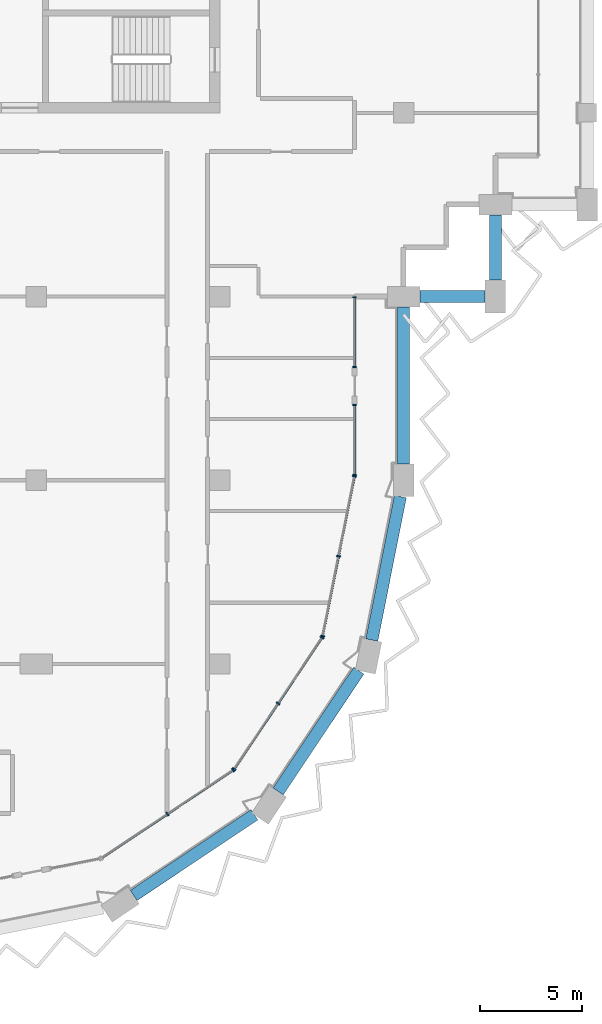
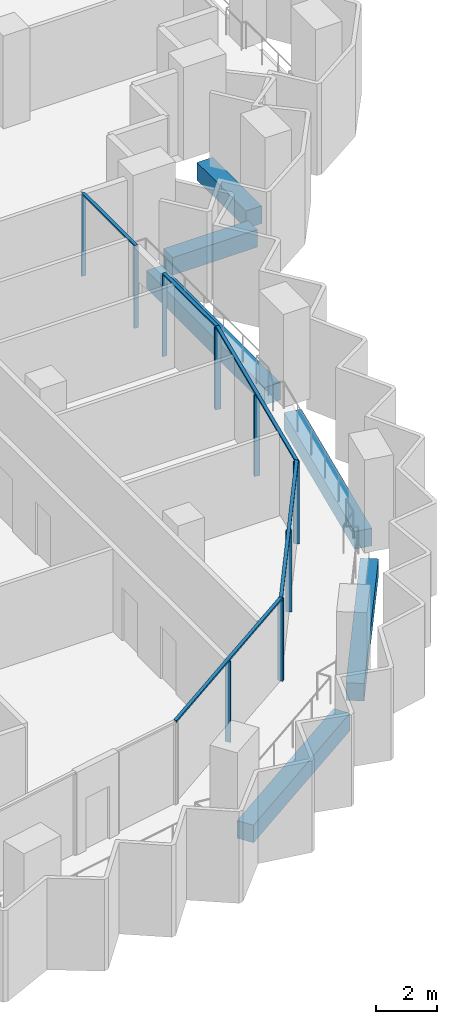
# One storey, part 3 of 16: 17 members, 6 beams, 5 elements without a shape of their own.
"""IFC4 building model written with IfcOpenShell, lengths in metres."""

from ifc_helpers import new_model, si_unit, direction, frame, origin, origin_2d, place, context, subcontext, project, spatial, rectangle, extrude, material, material_profile, profile_set, type_object, element, aggregate, save


model = new_model("IFC4")

# Units and contexts
model_context = context("Model", 3, precision=1e-05, world=origin(), true_north=direction((0.0, 1.0)))
body_context = subcontext(model_context, "Body", "Model", "MODEL_VIEW")
ifc_project = project(units=[si_unit("LENGTHUNIT", "METRE"), si_unit("AREAUNIT", "SQUARE_METRE"), si_unit("VOLUMEUNIT", "CUBIC_METRE"), si_unit("PLANEANGLEUNIT", "RADIAN"), si_unit("MASSUNIT", "GRAM", prefix="KILO")], contexts=[model_context])

# Site, building, storey
site_placement = place(None, origin())
site = spatial("IfcSite", under=ifc_project, at=site_placement, CompositionType="ELEMENT")
building_placement = place(site_placement, origin())
building = spatial("IfcBuilding", under=site, at=building_placement, Name="Hunhe Ridgeline Campus", CompositionType="ELEMENT")
storey_placement = place(building_placement, frame((0.0, 0.0, 261.39990234375)))
storey = spatial("IfcBuildingStorey", under=building, at=storey_placement, Name="L67", CompositionType="ELEMENT", Elevation=261.39990234375)

# Curtain wall, members
ifc_material_1 = material(Name="Aluminium 6063", Category="aluminium")
curtain_wall_type_1 = type_object("IfcCurtainWallType", Name="Curtain wall CW-1", PredefinedType="NOTDEFINED", material=ifc_material_1)
curtain_wall_1_placement = place(storey_placement, origin())
curtain_wall_1 = element("IfcCurtainWall", 1, at=curtain_wall_1_placement, inside=storey, type_object=curtain_wall_type_1, Name="Curtain wall 11", PredefinedType="NOTDEFINED")
ifc_material_profile_1 = material_profile(ifc_material_1, rectangle(XDim=0.159912109375, YDim=0.06005859375, at=origin_2d()))
ifc_profile_set_1 = profile_set([ifc_material_profile_1], Name="Aluminium 6063")
member_type_1 = type_object("IfcMemberType", Name="CW-1 aluminium mullion", PredefinedType="MULLION", material=ifc_profile_set_1)
member_1_placement = place(storey_placement, frame((42.59912109375, 45.266357421875, 0.0), z_axis=(0.0, 0.0, 1.0), x_axis=(-0.999999999815, 1.9241592e-05, 0.0)))
member_1 = element("IfcMember", 2, at=member_1_placement, type_object=member_type_1, Name="CW-1 mullion 1", PredefinedType="MULLION", context=body_context, shape_type="SweptSolid", body=[
    extrude(rectangle(XDim=0.159912109375, YDim=0.06005859375, at=origin_2d()), origin(), (0.0, 0.0, 1.0), 3.239990234375),
])
member_2_placement = place(storey_placement, frame((42.59912109375, 48.6884765625, 0.0), z_axis=(0.0, 0.0, 1.0), x_axis=(-0.999999999815, 1.9241592e-05, 0.0)))
member_2 = element("IfcMember", 3, at=member_2_placement, type_object=member_type_1, Name="CW-1 mullion 2", PredefinedType="MULLION", context=body_context, shape_type="SweptSolid", body=[
    extrude(rectangle(XDim=0.159912109375, YDim=0.06005859375, at=origin_2d()), origin(), (0.0, 0.0, 1.0), 3.239990234375),
])

curtain_wall_2_placement = place(storey_placement, origin())
curtain_wall_2 = element("IfcCurtainWall", 4, at=curtain_wall_2_placement, inside=storey, type_object=curtain_wall_type_1, Name="Curtain wall 12", PredefinedType="NOTDEFINED")
member_3_placement = place(storey_placement, frame((42.59912109375, 50.548583984375, 0.0), z_axis=(0.0, 0.0, 1.0), x_axis=(-0.999999999815, 1.9241592e-05, 0.0)))
member_3 = element("IfcMember", 5, at=member_3_placement, type_object=member_type_1, Name="CW-1 mullion 1", PredefinedType="MULLION", context=body_context, shape_type="SweptSolid", body=[
    extrude(rectangle(XDim=0.159912109375, YDim=0.06005859375, at=origin_2d()), origin(), (0.0, 0.0, 1.0), 3.239990234375),
])
member_4_placement = place(storey_placement, frame((42.59912109375, 53.970458984375, 0.0), z_axis=(0.0, 0.0, 1.0), x_axis=(-0.999999999815, 1.9241592e-05, 0.0)))
member_4 = element("IfcMember", 6, at=member_4_placement, type_object=member_type_1, Name="CW-1 mullion 2", PredefinedType="MULLION", context=body_context, shape_type="SweptSolid", body=[
    extrude(rectangle(XDim=0.159912109375, YDim=0.06005859375, at=origin_2d()), origin(), (0.0, 0.0, 1.0), 3.239990234375),
])

# Member
ifc_material_profile_2 = material_profile(ifc_material_1, rectangle(XDim=0.1201171875, YDim=0.06005859375, at=origin_2d()))
ifc_profile_set_2 = profile_set([ifc_material_profile_2], Name="Aluminium 6063")
member_type_2 = type_object("IfcMemberType", Name="CW-1 aluminium transom", PredefinedType="USERDEFINED", material=ifc_profile_set_2)
member_5_placement = place(storey_placement, frame((42.59912109375, 45.236572265625, 3.27001953125), z_axis=(0.0, 1.0, 0.0), x_axis=(-1.0, 0.0, 0.0)))
member_5 = element("IfcMember", 7, at=member_5_placement, type_object=member_type_2, Name="CW-1 transom 1", ObjectType="TRANSOM", PredefinedType="USERDEFINED", context=body_context, shape_type="SweptSolid", body=[
    extrude(rectangle(XDim=0.1201171875, YDim=0.06005859375, at=origin_2d()), origin(), (0.0, 0.0, 1.0), 3.48193359375),
])

aggregate(curtain_wall_1, [member_5, member_1, member_2])

member_6_placement = place(storey_placement, frame((42.59912109375, 50.5185546875, 3.27001953125), z_axis=(0.0, 1.0, 0.0), x_axis=(-1.0, 0.0, 0.0)))
member_6 = element("IfcMember", 8, at=member_6_placement, type_object=member_type_2, Name="CW-1 transom 1", ObjectType="TRANSOM", PredefinedType="USERDEFINED", context=body_context, shape_type="SweptSolid", body=[
    extrude(rectangle(XDim=0.1201171875, YDim=0.06005859375, at=origin_2d()), origin(), (0.0, 0.0, 1.0), 3.48193359375),
])

aggregate(curtain_wall_2, [member_6, member_3, member_4])

# Curtain wall, members
curtain_wall_type_2 = type_object("IfcCurtainWallType", Name="Curtain wall CW-5", PredefinedType="NOTDEFINED", material=ifc_material_1)
curtain_wall_3_placement = place(storey_placement, origin())
curtain_wall_3 = element("IfcCurtainWall", 9, at=curtain_wall_3_placement, inside=storey, type_object=curtain_wall_type_2, Name="Curtain wall 08", PredefinedType="NOTDEFINED")
ifc_material_profile_3 = material_profile(ifc_material_1, rectangle(XDim=0.199951171875, YDim=0.070068359375, at=origin_2d()))
ifc_profile_set_3 = profile_set([ifc_material_profile_3], Name="Aluminium 6063")
member_type_3 = type_object("IfcMemberType", Name="CW-5 aluminium mullion", PredefinedType="MULLION", material=ifc_profile_set_3)
member_7_placement = place(storey_placement, frame((33.42626953125, 28.647705078125, 0.0), z_axis=(0.0, 0.0, 1.0), x_axis=(-0.555570274596, 0.831469584522, 0.0)))
member_7 = element("IfcMember", 10, at=member_7_placement, type_object=member_type_3, Name="CW-5 mullion 2", PredefinedType="MULLION", context=body_context, shape_type="SweptSolid", body=[
    extrude(rectangle(XDim=0.199951171875, YDim=0.070068359375, at=origin_2d()), origin(), (0.0, 0.0, 1.0), 3.22998046875),
])
member_8_placement = place(storey_placement, frame((36.649658203125, 30.8017578125, 0.0), z_axis=(0.0, 0.0, 1.0), x_axis=(-0.555570274596, 0.831469584522, 0.0)))
member_8 = element("IfcMember", 11, at=member_8_placement, type_object=member_type_3, Name="CW-5 mullion 3", PredefinedType="MULLION", context=body_context, shape_type="SweptSolid", body=[
    extrude(rectangle(XDim=0.199951171875, YDim=0.070068359375, at=origin_2d()), origin(), (0.0, 0.0, 1.0), 3.22998046875),
])

curtain_wall_4_placement = place(storey_placement, origin())
curtain_wall_4 = element("IfcCurtainWall", 12, at=curtain_wall_4_placement, inside=storey, type_object=curtain_wall_type_2, Name="Curtain wall 09", PredefinedType="NOTDEFINED")
member_9_placement = place(storey_placement, frame((36.6982421875, 30.850341796875, 0.0), z_axis=(0.0, 0.0, 1.0), x_axis=(-0.831469584522, 0.555570274596, 0.0)))
member_9 = element("IfcMember", 13, at=member_9_placement, type_object=member_type_3, Name="CW-5 mullion 1", PredefinedType="MULLION", context=body_context, shape_type="SweptSolid", body=[
    extrude(rectangle(XDim=0.199951171875, YDim=0.070068359375, at=origin_2d()), origin(), (0.0, 0.0, 1.0), 3.22998046875),
])
member_10_placement = place(storey_placement, frame((38.852294921875, 34.07373046875, 0.0), z_axis=(0.0, 0.0, 1.0), x_axis=(-0.831469584522, 0.555570274596, 0.0)))
member_10 = element("IfcMember", 14, at=member_10_placement, type_object=member_type_3, Name="CW-5 mullion 2", PredefinedType="MULLION", context=body_context, shape_type="SweptSolid", body=[
    extrude(rectangle(XDim=0.199951171875, YDim=0.070068359375, at=origin_2d()), origin(), (0.0, 0.0, 1.0), 3.22998046875),
])
member_11_placement = place(storey_placement, frame((41.006103515625, 37.29736328125, 0.0), z_axis=(0.0, 0.0, 1.0), x_axis=(-0.831469584522, 0.555570274596, 0.0)))
member_11 = element("IfcMember", 15, at=member_11_placement, type_object=member_type_3, Name="CW-5 mullion 3", PredefinedType="MULLION", context=body_context, shape_type="SweptSolid", body=[
    extrude(rectangle(XDim=0.199951171875, YDim=0.070068359375, at=origin_2d()), origin(), (0.0, 0.0, 1.0), 3.22998046875),
])

curtain_wall_5_placement = place(storey_placement, origin())
curtain_wall_5 = element("IfcCurtainWall", 16, at=curtain_wall_5_placement, inside=storey, type_object=curtain_wall_type_2, Name="Curtain wall 10", PredefinedType="NOTDEFINED")
member_12_placement = place(storey_placement, frame((41.032470703125, 37.36083984375, 0.0), z_axis=(0.0, 0.0, 1.0), x_axis=(-0.980785284939, 0.195090299215, 0.0)))
member_12 = element("IfcMember", 17, at=member_12_placement, type_object=member_type_3, Name="CW-5 mullion 1", PredefinedType="MULLION", context=body_context, shape_type="SweptSolid", body=[
    extrude(rectangle(XDim=0.199951171875, YDim=0.070068359375, at=origin_2d()), origin(), (0.0, 0.0, 1.0), 3.22998046875),
])
member_13_placement = place(storey_placement, frame((41.812255859375, 41.281494140625, 0.0), z_axis=(0.0, 0.0, 1.0), x_axis=(-0.980785284939, 0.195090299215, 0.0)))
member_13 = element("IfcMember", 18, at=member_13_placement, type_object=member_type_3, Name="CW-5 mullion 2", PredefinedType="MULLION", context=body_context, shape_type="SweptSolid", body=[
    extrude(rectangle(XDim=0.199951171875, YDim=0.070068359375, at=origin_2d()), origin(), (0.0, 0.0, 1.0), 3.22998046875),
])
member_14_placement = place(storey_placement, frame((42.59228515625, 45.2021484375, 0.0), z_axis=(0.0, 0.0, 1.0), x_axis=(-0.980785284939, 0.195090299215, 0.0)))
member_14 = element("IfcMember", 19, at=member_14_placement, type_object=member_type_3, Name="CW-5 mullion 3", PredefinedType="MULLION", context=body_context, shape_type="SweptSolid", body=[
    extrude(rectangle(XDim=0.199951171875, YDim=0.070068359375, at=origin_2d()), origin(), (0.0, 0.0, 1.0), 3.22998046875),
])

# Member
ifc_material_profile_4 = material_profile(ifc_material_1, rectangle(XDim=0.1201171875, YDim=0.070068359375, at=origin_2d()))
ifc_profile_set_4 = profile_set([ifc_material_profile_4], Name="Aluminium 6063")
member_type_4 = type_object("IfcMemberType", Name="CW-5 aluminium transom", PredefinedType="USERDEFINED", material=ifc_profile_set_4)
member_15_placement = place(storey_placement, frame((30.173583984375, 26.474365234375, 3.26513671875), z_axis=(0.831473763475, 0.5555640203, 0.0), x_axis=(-0.5555640203, 0.831473763475, 0.0)))
member_15 = element("IfcMember", 20, at=member_15_placement, type_object=member_type_4, Name="CW-5 transom 1", ObjectType="TRANSOM", PredefinedType="USERDEFINED", context=body_context, shape_type="SweptSolid", body=[
    extrude(rectangle(XDim=0.1201171875, YDim=0.070068359375, at=origin_2d()), origin(), (0.0, 0.0, 1.0), 7.823974609375),
])

aggregate(curtain_wall_3, [member_15, member_7, member_8])

member_16_placement = place(storey_placement, frame((36.678955078125, 30.821044921875, 3.26513671875), z_axis=(0.5555640203, 0.831473763475, 0.0), x_axis=(-0.831473763475, 0.5555640203, 0.0)))
member_16 = element("IfcMember", 21, at=member_16_placement, type_object=member_type_4, Name="CW-5 transom 1", ObjectType="TRANSOM", PredefinedType="USERDEFINED", context=body_context, shape_type="SweptSolid", body=[
    extrude(rectangle(XDim=0.1201171875, YDim=0.070068359375, at=origin_2d()), origin(), (0.0, 0.0, 1.0), 7.823974609375),
])

aggregate(curtain_wall_4, [member_16, member_9, member_10, member_11])

member_17_placement = place(storey_placement, frame((41.025634765625, 37.326416015625, 3.26513671875), z_axis=(0.195097290093, 0.980783894341, 0.0), x_axis=(-0.980783894341, 0.195097290093, 0.0)))
member_17 = element("IfcMember", 22, at=member_17_placement, type_object=member_type_4, Name="CW-5 transom 1", ObjectType="TRANSOM", PredefinedType="USERDEFINED", context=body_context, shape_type="SweptSolid", body=[
    extrude(rectangle(XDim=0.1201171875, YDim=0.070068359375, at=origin_2d()), origin(), (0.0, 0.0, 1.0), 8.065185546875),
])

aggregate(curtain_wall_5, [member_17, member_12, member_13, member_14])

# Beams
ifc_material_2 = material(Name="Concrete C50", Category="concrete")
ifc_material_profile_5 = material_profile(ifc_material_2, rectangle(XDim=0.60009765625, YDim=0.699951171875, at=origin_2d()))
ifc_profile_set_5 = profile_set([ifc_material_profile_5], Name="Concrete C50")
beam_type = type_object("IfcBeamType", Name="RC spandrel beam 600x700 Concrete C50", PredefinedType="SPANDREL", material=ifc_profile_set_5)
for number, where, z_axis, x_axis, name in (
    (23, (31.775634765625, 24.6572265625, -0.599853515625), (0.831463706344, 0.55557907181, 0.0), (-0.55557907181, 0.831463706344, 0.0), "Spandrel beam B4-6 L67"),
    (24, (38.854248046875, 29.75537109375, -0.599853515625), (0.55557907181, 0.831463706344, 0.0), (-0.831463706344, 0.55557907181, 0.0), "Spandrel beam B4-7 L67"),
):
    element("IfcBeam", number, at=place(storey_placement, frame(where, z_axis=z_axis, x_axis=x_axis)), inside=storey, type_object=beam_type, Name=name, PredefinedType="SPANDREL", context=body_context, shape_type="SweptSolid", body=[
        extrude(rectangle(XDim=0.60009765625, YDim=0.699951171875, at=origin_2d()), origin(), (0.0, 0.0, 1.0), 7.113037109375),
    ])
beam_1_placement = place(storey_placement, frame((43.443359375, 37.17431640625, -0.599853515625), z_axis=(0.195087004291, 0.980785940334, 0.0), x_axis=(-0.980785940334, 0.195087004291, 0.0)))
element("IfcBeam", 25, at=beam_1_placement, inside=storey, type_object=beam_type, Name="Spandrel beam B4-8 L67", PredefinedType="SPANDREL", context=body_context, shape_type="SweptSolid", body=[
    extrude(rectangle(XDim=0.60009765625, YDim=0.699951171875, at=origin_2d()), origin(), (0.0, 0.0, 1.0), 7.163330078125),
])
beam_2_placement = place(storey_placement, frame((45.0, 45.800048828125, -0.599853515625), z_axis=(0.0, 1.0, 0.0), x_axis=(-1.0, 0.0, 0.0)))
element("IfcBeam", 26, at=beam_2_placement, inside=storey, type_object=beam_type, Name="Spandrel beam B4-9 L67", PredefinedType="SPANDREL", context=body_context, shape_type="SweptSolid", body=[
    extrude(rectangle(XDim=0.60009765625, YDim=0.699951171875, at=origin_2d()), origin(), (0.0, 0.0, 1.0), 7.699951171875),
])
for number, where, z_axis, x_axis, name in (
    (27, (45.800048828125, 54.0, -0.599853515625), (1.0, 0.0, 0.0), (0.0, 1.0, 0.0), "Spandrel beam B4-10 L67"),
    (28, (49.5, 54.800048828125, -0.599853515625), (0.0, 1.0, 0.0), (-1.0, 0.0, 0.0), "Spandrel beam B4-11 L67"),
):
    element("IfcBeam", number, at=place(storey_placement, frame(where, z_axis=z_axis, x_axis=x_axis)), inside=storey, type_object=beam_type, Name=name, PredefinedType="SPANDREL", context=body_context, shape_type="SweptSolid", body=[
        extrude(rectangle(XDim=0.60009765625, YDim=0.699951171875, at=origin_2d()), origin(), (0.0, 0.0, 1.0), 3.199951171875),
    ])

save(model, "model.ifc")
